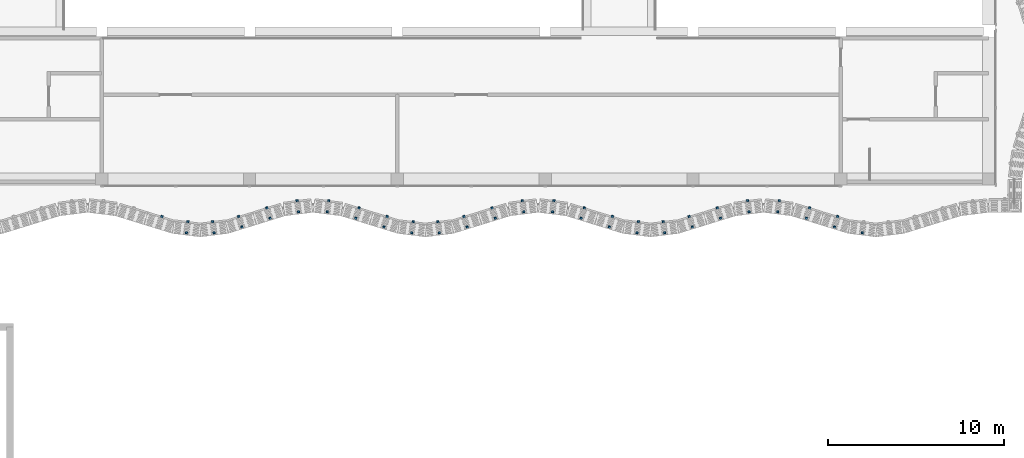
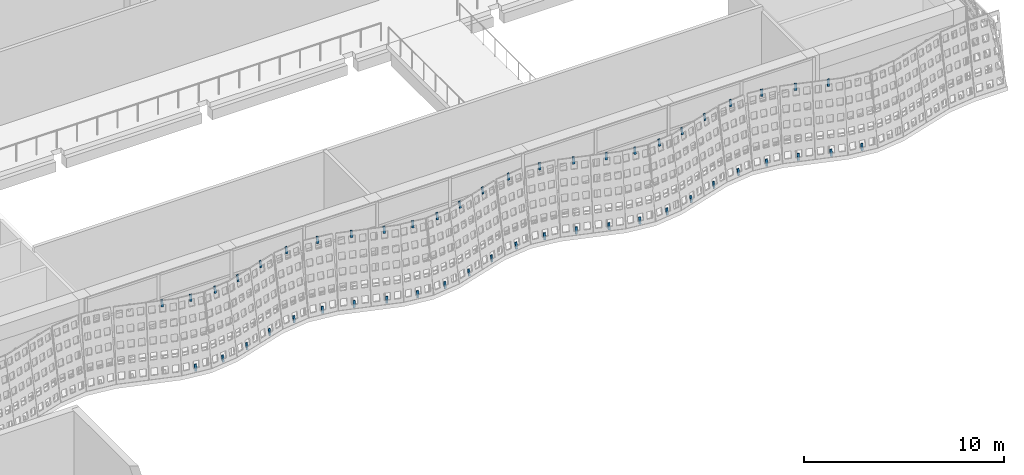
# One storey, part 111 of 162: 50 discrete accessories.
"""IFC4 building model written with IfcOpenShell, lengths in metres."""

from ifc_helpers import new_model, si_unit, direction, frame, origin, origin_2d, place, context, subcontext, project, spatial, rectangle, extrude, material, material_profile, profile_set, type_object, element, save


model = new_model("IFC4")

# Units and contexts
model_context = context("Model", 3, precision=1e-05, world=origin(), true_north=direction((0.0, 1.0)))
body_context = subcontext(model_context, "Body", "Model", "MODEL_VIEW")
ifc_project = project(units=[si_unit("LENGTHUNIT", "METRE"), si_unit("AREAUNIT", "SQUARE_METRE"), si_unit("VOLUMEUNIT", "CUBIC_METRE"), si_unit("PLANEANGLEUNIT", "RADIAN"), si_unit("MASSUNIT", "GRAM", prefix="KILO")], contexts=[model_context])

# Site, building, storey
site_placement = place(None, origin())
site = spatial("IfcSite", under=ifc_project, at=site_placement, CompositionType="ELEMENT")
building_placement = place(site_placement, origin())
building = spatial("IfcBuilding", under=site, at=building_placement, Name="Rain Tree Exposition and Congress Centre", CompositionType="ELEMENT")
storey_placement = place(building_placement, frame((0.0, 0.0, 6.0)))
storey = spatial("IfcBuildingStorey", under=building, at=storey_placement, Name="L01", CompositionType="ELEMENT", Elevation=6.0)

# Discrete accessories
ifc_material = material(Name="Steel S355J2", Category="steel")
ifc_material_profile = material_profile(ifc_material, rectangle(XDim=0.1201171875, YDim=0.050048828125, at=origin_2d()), Name="Flat bar 120x50")
ifc_profile_set = profile_set([ifc_material_profile], Name="Steel S355J2")
discrete_accessory_type = type_object("IfcDiscreteAccessoryType", Name="Screen bracket 120x50", PredefinedType="BRACKET", material=ifc_profile_set)
discrete_accessory_1_placement = place(storey_placement, frame((221.809814453125, 73.4423828125, 3.85107421875), z_axis=(0.04699262887, 0.150742588713, 0.987455500152), x_axis=(-0.954686073127, 0.297614686764, 0.0)))
element("IfcDiscreteAccessory", 1, at=discrete_accessory_1_placement, inside=storey, type_object=discrete_accessory_type, Name="concourse/bracket/L01/1391t", PredefinedType="BRACKET", context=body_context, shape_type="SweptSolid", body=[
    extrude(rectangle(XDim=0.1201171875, YDim=0.050048828125, at=origin_2d()), origin(), (0.0, 0.0, 1.0), 0.400146484375),
])
for number, where, z_axis, x_axis, name in (
    (2, (223.29296875, 73.141357421875, 3.851318359375), (0.021363835031, 0.162975541524, 0.986398783159), (-0.991517377774, 0.129974188098, 0.0), "concourse/bracket/L01/1401t"),
    (3, (223.211669921875, 72.506591796875, 0.004150390625), (0.020753706516, 0.162977636468, 0.986411462665), (-0.991989449114, 0.12632075382, 0.0), "concourse/bracket/L01/1401b"),
    (4, (224.70703125, 73.141357421875, 3.851318359375), (-0.021363835031, 0.162975541524, 0.986398783159), (-0.991517377774, -0.129974188098, 0.0), "concourse/bracket/L01/1411t"),
    (5, (224.788330078125, 72.506591796875, 0.004150390625), (-0.020753706516, 0.162977636468, 0.986411462665), (-0.991989449114, -0.12632075382, 0.0), "concourse/bracket/L01/1411b"),
):
    element("IfcDiscreteAccessory", number, at=place(storey_placement, frame(where, z_axis=z_axis, x_axis=x_axis)), inside=storey, type_object=discrete_accessory_type, Name=name, PredefinedType="BRACKET", context=body_context, shape_type="SweptSolid", body=[
        extrude(rectangle(XDim=0.1201171875, YDim=0.050048828125, at=origin_2d()), origin(), (0.0, 0.0, 1.0), 0.39990234375),
    ])
for number, where, z_axis, x_axis, name in (
    (6, (226.190185546875, 73.4423828125, 3.85107421875), (-0.04699262887, 0.150742588713, 0.987455500152), (-0.954686073127, -0.297614686764, 0.0), "concourse/bracket/L01/1421t"),
    (7, (226.372314453125, 72.853515625, 0.00390625), (-0.04699262887, 0.150742588713, 0.987455500152), (-0.954686073127, -0.297614686764, 0.0), "concourse/bracket/L01/1421b"),
    (8, (227.786865234375, 73.936279296875, 3.85107421875), (-0.04699262887, 0.150742588713, 0.987455500152), (-0.954686073127, -0.297614686764, 0.0), "concourse/bracket/L01/1431t"),
    (9, (227.968994140625, 73.347412109375, 0.00390625), (-0.046988297524, 0.151338932283, 0.987364485624), (-0.955026538869, -0.296520336665, 0.0), "concourse/bracket/L01/1431b"),
):
    element("IfcDiscreteAccessory", number, at=place(storey_placement, frame(where, z_axis=z_axis, x_axis=x_axis)), inside=storey, type_object=discrete_accessory_type, Name=name, PredefinedType="BRACKET", context=body_context, shape_type="SweptSolid", body=[
        extrude(rectangle(XDim=0.1201171875, YDim=0.050048828125, at=origin_2d()), origin(), (0.0, 0.0, 1.0), 0.400146484375),
    ])
for number, where, z_axis, x_axis, name in (
    (10, (229.50537109375, 74.336181640625, 3.851318359375), (-0.020753706516, 0.162977636468, 0.986411462665), (-0.991989449114, -0.12632075382, 0.0), "concourse/bracket/L01/1441t"),
    (11, (229.586669921875, 73.701416015625, 0.004150390625), (-0.020753706516, 0.162977636468, 0.986411462665), (-0.991989449114, -0.12632075382, 0.0), "concourse/bracket/L01/1441b"),
    (12, (231.294677734375, 74.336181640625, 3.851318359375), (0.020753706516, 0.162977636468, 0.986411462665), (-0.991989449114, 0.12632075382, 0.0), "concourse/bracket/L01/1451t"),
    (13, (231.21337890625, 73.701416015625, 0.004150390625), (0.020753706516, 0.162977636468, 0.986411462665), (-0.991989449114, 0.12632075382, 0.0), "concourse/bracket/L01/1451b"),
):
    element("IfcDiscreteAccessory", number, at=place(storey_placement, frame(where, z_axis=z_axis, x_axis=x_axis)), inside=storey, type_object=discrete_accessory_type, Name=name, PredefinedType="BRACKET", context=body_context, shape_type="SweptSolid", body=[
        extrude(rectangle(XDim=0.1201171875, YDim=0.050048828125, at=origin_2d()), origin(), (0.0, 0.0, 1.0), 0.39990234375),
    ])
for number, where, z_axis, x_axis, name in (
    (14, (233.01318359375, 73.936279296875, 3.85107421875), (0.04699262887, 0.150742588713, 0.987455500152), (-0.954686073127, 0.297614686764, 0.0), "concourse/bracket/L01/1461t"),
    (15, (232.8310546875, 73.347412109375, 0.00390625), (0.04637938116, 0.151343243786, 0.9873926147), (-0.956111824862, 0.293002010845, 0.0), "concourse/bracket/L01/1461b"),
    (16, (234.60986328125, 73.4423828125, 3.85107421875), (0.04699262887, 0.150742588713, 0.987455500152), (-0.954686073127, 0.297614686764, 0.0), "concourse/bracket/L01/1471t"),
    (17, (234.427734375, 72.853515625, 0.00390625), (0.046383656621, 0.150746884018, 0.987483637007), (-0.955779008722, 0.294085848838, 0.0), "concourse/bracket/L01/1471b"),
):
    element("IfcDiscreteAccessory", number, at=place(storey_placement, frame(where, z_axis=z_axis, x_axis=x_axis)), inside=storey, type_object=discrete_accessory_type, Name=name, PredefinedType="BRACKET", context=body_context, shape_type="SweptSolid", body=[
        extrude(rectangle(XDim=0.1201171875, YDim=0.050048828125, at=origin_2d()), origin(), (0.0, 0.0, 1.0), 0.400146484375),
    ])
for number, where, z_axis, x_axis, name in (
    (18, (236.093017578125, 73.141357421875, 3.851318359375), (0.020753706516, 0.162977636468, 0.986411462665), (-0.991989449114, 0.12632075382, 0.0), "concourse/bracket/L01/1481t"),
    (19, (236.01171875, 72.506591796875, 0.004150390625), (0.020753706516, 0.162977636468, 0.986411462665), (-0.991989449114, 0.12632075382, 0.0), "concourse/bracket/L01/1481b"),
    (20, (237.507080078125, 73.141357421875, 3.851318359375), (-0.021363835031, 0.162975541524, 0.986398783159), (-0.991517377774, -0.129974188098, 0.0), "concourse/bracket/L01/1491t"),
    (21, (237.58837890625, 72.506591796875, 0.004150390625), (-0.020753706516, 0.162977636468, 0.986411462665), (-0.991989449114, -0.12632075382, 0.0), "concourse/bracket/L01/1491b"),
):
    element("IfcDiscreteAccessory", number, at=place(storey_placement, frame(where, z_axis=z_axis, x_axis=x_axis)), inside=storey, type_object=discrete_accessory_type, Name=name, PredefinedType="BRACKET", context=body_context, shape_type="SweptSolid", body=[
        extrude(rectangle(XDim=0.1201171875, YDim=0.050048828125, at=origin_2d()), origin(), (0.0, 0.0, 1.0), 0.39990234375),
    ])
for number, where, z_axis, x_axis, name in (
    (22, (238.989990234375, 73.4423828125, 3.85107421875), (-0.046383656621, 0.150746884018, 0.987483637007), (-0.955779008722, -0.294085848838, 0.0), "concourse/bracket/L01/1501t"),
    (23, (239.17236328125, 72.853515625, 0.00390625), (-0.04699262887, 0.150742588713, 0.987455500152), (-0.954686073127, -0.297614686764, 0.0), "concourse/bracket/L01/1501b"),
    (24, (240.5869140625, 73.936279296875, 3.85107421875), (-0.04699262887, 0.150742588713, 0.987455500152), (-0.954686073127, -0.297614686764, 0.0), "concourse/bracket/L01/1511t"),
    (25, (240.76904296875, 73.347412109375, 0.00390625), (-0.046988297524, 0.151338932283, 0.987364485624), (-0.955026538869, -0.296520336665, 0.0), "concourse/bracket/L01/1511b"),
):
    element("IfcDiscreteAccessory", number, at=place(storey_placement, frame(where, z_axis=z_axis, x_axis=x_axis)), inside=storey, type_object=discrete_accessory_type, Name=name, PredefinedType="BRACKET", context=body_context, shape_type="SweptSolid", body=[
        extrude(rectangle(XDim=0.1201171875, YDim=0.050048828125, at=origin_2d()), origin(), (0.0, 0.0, 1.0), 0.400146484375),
    ])
for number, where, z_axis, x_axis, name in (
    (26, (242.305419921875, 74.336181640625, 3.851318359375), (-0.020753706516, 0.162977636468, 0.986411462665), (-0.991989449114, -0.12632075382, 0.0), "concourse/bracket/L01/1521t"),
    (27, (242.38671875, 73.701416015625, 0.004150390625), (-0.020753706516, 0.162977636468, 0.986411462665), (-0.991989449114, -0.12632075382, 0.0), "concourse/bracket/L01/1521b"),
    (28, (244.0947265625, 74.336181640625, 3.851318359375), (0.020753706516, 0.162977636468, 0.986411462665), (-0.991989449114, 0.12632075382, 0.0), "concourse/bracket/L01/1531t"),
    (29, (244.013427734375, 73.701416015625, 0.004150390625), (0.020753706516, 0.162977636468, 0.986411462665), (-0.991989449114, 0.12632075382, 0.0), "concourse/bracket/L01/1531b"),
):
    element("IfcDiscreteAccessory", number, at=place(storey_placement, frame(where, z_axis=z_axis, x_axis=x_axis)), inside=storey, type_object=discrete_accessory_type, Name=name, PredefinedType="BRACKET", context=body_context, shape_type="SweptSolid", body=[
        extrude(rectangle(XDim=0.1201171875, YDim=0.050048828125, at=origin_2d()), origin(), (0.0, 0.0, 1.0), 0.39990234375),
    ])
for number, where, z_axis, x_axis, name in (
    (30, (245.813232421875, 73.936279296875, 3.85107421875), (0.046383656621, 0.150746884018, 0.987483637007), (-0.955779008722, 0.294085848838, 0.0), "concourse/bracket/L01/1541t"),
    (31, (245.631103515625, 73.347412109375, 0.00390625), (0.04637938116, 0.151343243786, 0.9873926147), (-0.956111824862, 0.293002010845, 0.0), "concourse/bracket/L01/1541b"),
    (32, (247.409912109375, 73.4423828125, 3.85107421875), (0.04699262887, 0.150742588713, 0.987455500152), (-0.954686073127, 0.297614686764, 0.0), "concourse/bracket/L01/1551t"),
    (33, (247.227783203125, 72.853515625, 0.00390625), (0.046383656621, 0.150746884018, 0.987483637007), (-0.955779008722, 0.294085848838, 0.0), "concourse/bracket/L01/1551b"),
):
    element("IfcDiscreteAccessory", number, at=place(storey_placement, frame(where, z_axis=z_axis, x_axis=x_axis)), inside=storey, type_object=discrete_accessory_type, Name=name, PredefinedType="BRACKET", context=body_context, shape_type="SweptSolid", body=[
        extrude(rectangle(XDim=0.1201171875, YDim=0.050048828125, at=origin_2d()), origin(), (0.0, 0.0, 1.0), 0.400146484375),
    ])
for number, where, z_axis, x_axis, name in (
    (34, (248.89306640625, 73.141357421875, 3.851318359375), (0.020753706516, 0.162977636468, 0.986411462665), (-0.991989449114, 0.12632075382, 0.0), "concourse/bracket/L01/1561t"),
    (35, (248.811767578125, 72.506591796875, 0.004150390625), (0.020753706516, 0.162977636468, 0.986411462665), (-0.991989449114, 0.12632075382, 0.0), "concourse/bracket/L01/1561b"),
    (36, (250.306884765625, 73.141357421875, 3.851318359375), (-0.020753706516, 0.162977636468, 0.986411462665), (-0.991989449114, -0.12632075382, 0.0), "concourse/bracket/L01/1571t"),
    (37, (250.38818359375, 72.506591796875, 0.004150390625), (-0.020753706516, 0.162977636468, 0.986411462665), (-0.991989449114, -0.12632075382, 0.0), "concourse/bracket/L01/1571b"),
):
    element("IfcDiscreteAccessory", number, at=place(storey_placement, frame(where, z_axis=z_axis, x_axis=x_axis)), inside=storey, type_object=discrete_accessory_type, Name=name, PredefinedType="BRACKET", context=body_context, shape_type="SweptSolid", body=[
        extrude(rectangle(XDim=0.1201171875, YDim=0.050048828125, at=origin_2d()), origin(), (0.0, 0.0, 1.0), 0.39990234375),
    ])
for number, where, z_axis, x_axis, name in (
    (38, (251.7900390625, 73.4423828125, 3.85107421875), (-0.046383656621, 0.150746884018, 0.987483637007), (-0.955779008722, -0.294085848838, 0.0), "concourse/bracket/L01/1581t"),
    (39, (251.972412109375, 72.853515625, 0.00390625), (-0.04699262887, 0.150742588713, 0.987455500152), (-0.954686073127, -0.297614686764, 0.0), "concourse/bracket/L01/1581b"),
    (40, (253.38671875, 73.936279296875, 3.85107421875), (-0.046383656621, 0.150746884018, 0.987483637007), (-0.955779008722, -0.294085848838, 0.0), "concourse/bracket/L01/1591t"),
    (41, (253.569091796875, 73.347412109375, 0.00390625), (-0.046988297524, 0.151338932283, 0.987364485624), (-0.955026538869, -0.296520336665, 0.0), "concourse/bracket/L01/1591b"),
):
    element("IfcDiscreteAccessory", number, at=place(storey_placement, frame(where, z_axis=z_axis, x_axis=x_axis)), inside=storey, type_object=discrete_accessory_type, Name=name, PredefinedType="BRACKET", context=body_context, shape_type="SweptSolid", body=[
        extrude(rectangle(XDim=0.1201171875, YDim=0.050048828125, at=origin_2d()), origin(), (0.0, 0.0, 1.0), 0.400146484375),
    ])
for number, where, z_axis, x_axis, name in (
    (42, (255.105224609375, 74.336181640625, 3.851318359375), (-0.020753706516, 0.162977636468, 0.986411462665), (-0.991989449114, -0.12632075382, 0.0), "concourse/bracket/L01/1601t"),
    (43, (255.1865234375, 73.701416015625, 0.004150390625), (-0.020753706516, 0.162977636468, 0.986411462665), (-0.991989449114, -0.12632075382, 0.0), "concourse/bracket/L01/1601b"),
    (44, (256.894775390625, 74.336181640625, 3.851318359375), (0.020753706516, 0.162977636468, 0.986411462665), (-0.991989449114, 0.12632075382, 0.0), "concourse/bracket/L01/1611t"),
    (45, (256.8134765625, 73.701416015625, 0.004150390625), (0.020753706516, 0.162977636468, 0.986411462665), (-0.991989449114, 0.12632075382, 0.0), "concourse/bracket/L01/1611b"),
):
    element("IfcDiscreteAccessory", number, at=place(storey_placement, frame(where, z_axis=z_axis, x_axis=x_axis)), inside=storey, type_object=discrete_accessory_type, Name=name, PredefinedType="BRACKET", context=body_context, shape_type="SweptSolid", body=[
        extrude(rectangle(XDim=0.1201171875, YDim=0.050048828125, at=origin_2d()), origin(), (0.0, 0.0, 1.0), 0.39990234375),
    ])
for number, where, z_axis, x_axis, name in (
    (46, (258.61328125, 73.936279296875, 3.85107421875), (0.046383656621, 0.150746884018, 0.987483637007), (-0.955779008722, 0.294085848838, 0.0), "concourse/bracket/L01/1621t"),
    (47, (258.430908203125, 73.347412109375, 0.00390625), (0.046988297524, 0.151338932283, 0.987364485624), (-0.955026538869, 0.296520336665, 0.0), "concourse/bracket/L01/1621b"),
    (48, (260.2099609375, 73.4423828125, 3.85107421875), (0.046383656621, 0.150746884018, 0.987483637007), (-0.955779008722, 0.294085848838, 0.0), "concourse/bracket/L01/1631t"),
    (49, (260.027587890625, 72.853515625, 0.00390625), (0.04699262887, 0.150742588713, 0.987455500152), (-0.954686073127, 0.297614686764, 0.0), "concourse/bracket/L01/1631b"),
):
    element("IfcDiscreteAccessory", number, at=place(storey_placement, frame(where, z_axis=z_axis, x_axis=x_axis)), inside=storey, type_object=discrete_accessory_type, Name=name, PredefinedType="BRACKET", context=body_context, shape_type="SweptSolid", body=[
        extrude(rectangle(XDim=0.1201171875, YDim=0.050048828125, at=origin_2d()), origin(), (0.0, 0.0, 1.0), 0.400146484375),
    ])
discrete_accessory_2_placement = place(storey_placement, frame((261.61181640625, 72.506591796875, 0.004150390625), z_axis=(0.020753706516, 0.162977636468, 0.986411462665), x_axis=(-0.991989449114, 0.12632075382, 0.0)))
element("IfcDiscreteAccessory", 50, at=discrete_accessory_2_placement, inside=storey, type_object=discrete_accessory_type, Name="concourse/bracket/L01/1641b", PredefinedType="BRACKET", context=body_context, shape_type="SweptSolid", body=[
    extrude(rectangle(XDim=0.1201171875, YDim=0.050048828125, at=origin_2d()), origin(), (0.0, 0.0, 1.0), 0.39990234375),
])

save(model, "model.ifc")
